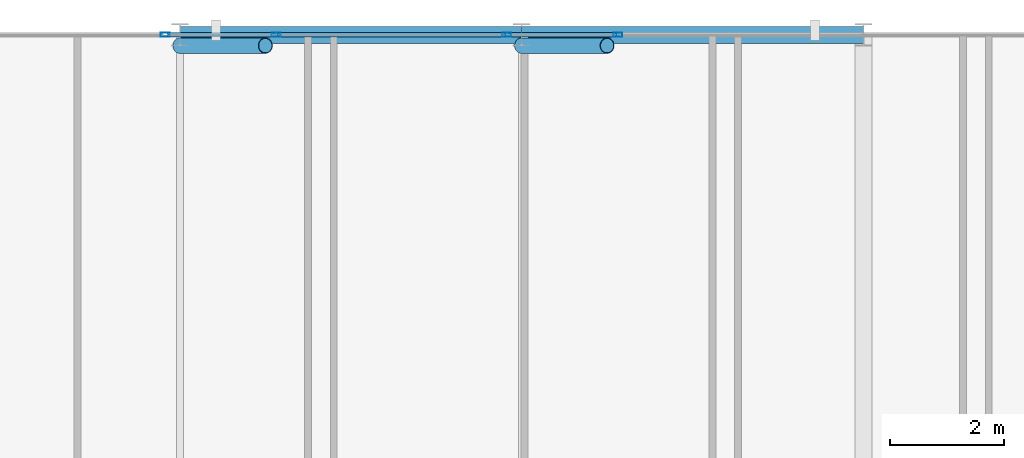
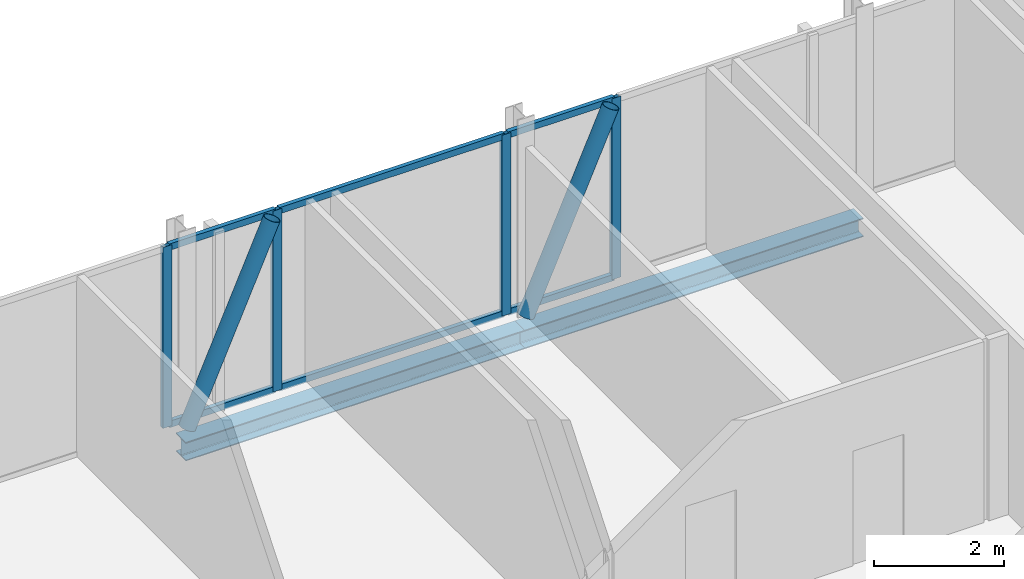
# One storey, part 17 of 27: 12 members, 2 beams, 4 elements without a shape of their own.
"""IFC4 building model written with IfcOpenShell, lengths in metres."""

from ifc_helpers import new_model, si_unit, direction, frame, origin, origin_2d, place, context, subcontext, project, spatial, hollow_rectangle, hollow_circle, i_section, extrude, material, layer, layer_set, material_profile, profile_set, type_object, element, aggregate, save


model = new_model("IFC4")

# Units and contexts
model_context = context("Model", 3, precision=1e-05, world=origin(), true_north=direction((0.0, 1.0)))
body_context = subcontext(model_context, "Body", "Model", "MODEL_VIEW")
ifc_project = project(units=[si_unit("LENGTHUNIT", "METRE"), si_unit("AREAUNIT", "SQUARE_METRE"), si_unit("VOLUMEUNIT", "CUBIC_METRE"), si_unit("PLANEANGLEUNIT", "RADIAN"), si_unit("MASSUNIT", "GRAM", prefix="KILO")], contexts=[model_context])

# Site, building, storey
site_placement = place(None, origin())
site = spatial("IfcSite", under=ifc_project, at=site_placement, CompositionType="ELEMENT")
building_placement = place(site_placement, origin())
building = spatial("IfcBuilding", under=site, at=building_placement, Name="Keshet Zoharim Tower", CompositionType="ELEMENT")
storey_placement = place(building_placement, frame((0.0, 0.0, 288.0)))
storey = spatial("IfcBuildingStorey", under=building, at=storey_placement, Name="L72", CompositionType="ELEMENT", Elevation=288.0)

# Beams
ifc_material_1 = material(Name="Steel S355", Category="steel")
ifc_material_profile_1 = material_profile(ifc_material_1, i_section(OverallWidth=0.300048828125, OverallDepth=0.35009765625, WebThickness=0.010009765625, FlangeThickness=0.017578125, FilletRadius=0.027099609375, at=origin_2d()), Name="HEA360")
ifc_profile_set_1 = profile_set([ifc_material_profile_1], Name="Steel S355")
beam_type = type_object("IfcBeamType", Name="BM-PRI-HA360", PredefinedType="BEAM", material=ifc_profile_set_1)
for number, where, z_axis, x_axis, name in (
    (1, (21.0, 53.89990234375, -0.485107421875), (1.0, 0.0, 0.0), (0.0, 1.0, 0.0), "L72 Primary Girder X-010"),
    (2, (27.0, 53.89990234375, -0.485107421875), (1.0, 0.0, 0.0), (0.0, 1.0, 0.0), "L72 Primary Girder X-011"),
):
    element("IfcBeam", number, at=place(storey_placement, frame(where, z_axis=z_axis, x_axis=x_axis)), inside=storey, type_object=beam_type, Name=name, PredefinedType="BEAM", context=body_context, shape_type="SweptSolid", body=[
        extrude(i_section(OverallWidth=0.300048828125, OverallDepth=0.35009765625, WebThickness=0.010009765625, FlangeThickness=0.017578125, FilletRadius=0.027099609375, at=origin_2d()), origin(), (0.0, 0.0, 1.0), 6.0),
    ])

# Curtain wall, member
ifc_material_2 = material(Name="Aluminium 6063-T6", Category="aluminium")
ifc_layer = layer(ifc_material_2, 0.260009765625)
ifc_layer_set = layer_set([ifc_layer], Name="Aluminium 6063-T6")
curtain_wall_type = type_object("IfcCurtainWallType", Name="CW-SYS-06", PredefinedType="NOTDEFINED", material=ifc_layer_set)
curtain_wall_1_placement = place(storey_placement, origin())
curtain_wall_1 = element("IfcCurtainWall", 3, at=curtain_wall_1_placement, inside=storey, type_object=curtain_wall_type, Name="L72 Unitised Curtain Wall 06", PredefinedType="NOTDEFINED")
ifc_material_profile_2 = material_profile(ifc_material_2, hollow_rectangle(XDim=0.074951171875, YDim=0.159912109375, WallThickness=0.00390625, at=origin_2d()), Name="MUL-75x160")
ifc_profile_set_2 = profile_set([ifc_material_profile_2], Name="Aluminium 6063-T6")
member_type_1 = type_object("IfcMemberType", Name="CWM-M15", PredefinedType="MULLION", material=ifc_profile_set_2)
member_1_placement = place(storey_placement, frame((20.740234375, 53.89990234375, 0.0), z_axis=(0.0, 0.0, 1.0), x_axis=(0.0, 1.0, 0.0)))
member_1 = element("IfcMember", 4, at=member_1_placement, type_object=member_type_1, Name="CW-06 mullion 2", PredefinedType="MULLION", context=body_context, shape_type="SweptSolid", body=[
    extrude(hollow_rectangle(XDim=0.074951171875, YDim=0.159912109375, WallThickness=0.00390625, at=origin_2d()), origin(), (0.0, 0.0, 1.0), 3.389892578125),
])
aggregate(curtain_wall_1, [member_1])

curtain_wall_2_placement = place(storey_placement, origin())
curtain_wall_2 = element("IfcCurtainWall", 5, at=curtain_wall_2_placement, inside=storey, type_object=curtain_wall_type, Name="L72 Unitised Curtain Wall 06 Part 2", PredefinedType="NOTDEFINED")
member_2_placement = place(storey_placement, frame((22.689697265625, 53.89990234375, 0.0), z_axis=(0.0, 0.0, 1.0), x_axis=(0.0, 1.0, 0.0)))
member_2 = element("IfcMember", 6, at=member_2_placement, type_object=member_type_1, Name="CW-06 mullion 2", PredefinedType="MULLION", context=body_context, shape_type="SweptSolid", body=[
    extrude(hollow_rectangle(XDim=0.074951171875, YDim=0.159912109375, WallThickness=0.00390625, at=origin_2d()), origin(), (0.0, 0.0, 1.0), 3.389892578125),
])

curtain_wall_3_placement = place(storey_placement, origin())
curtain_wall_3 = element("IfcCurtainWall", 7, at=curtain_wall_3_placement, inside=storey, type_object=curtain_wall_type, Name="L72 Unitised Curtain Wall 06 Part 3", PredefinedType="NOTDEFINED")
member_3_placement = place(storey_placement, frame((26.740234375, 53.89990234375, 0.0), z_axis=(0.0, 0.0, 1.0), x_axis=(0.0, 1.0, 0.0)))
member_3 = element("IfcMember", 8, at=member_3_placement, type_object=member_type_1, Name="CW-06 mullion 2", PredefinedType="MULLION", context=body_context, shape_type="SweptSolid", body=[
    extrude(hollow_rectangle(XDim=0.074951171875, YDim=0.159912109375, WallThickness=0.00390625, at=origin_2d()), origin(), (0.0, 0.0, 1.0), 3.389892578125),
])

curtain_wall_4_placement = place(storey_placement, origin())
curtain_wall_4 = element("IfcCurtainWall", 9, at=curtain_wall_4_placement, inside=storey, type_object=curtain_wall_type, Name="L72 Unitised Curtain Wall 06 Part 4", PredefinedType="NOTDEFINED")
member_4_placement = place(storey_placement, frame((28.689697265625, 53.89990234375, 0.0), z_axis=(0.0, 0.0, 1.0), x_axis=(0.0, 1.0, 0.0)))
member_4 = element("IfcMember", 10, at=member_4_placement, type_object=member_type_1, Name="CW-06 mullion 2", PredefinedType="MULLION", context=body_context, shape_type="SweptSolid", body=[
    extrude(hollow_rectangle(XDim=0.074951171875, YDim=0.159912109375, WallThickness=0.00390625, at=origin_2d()), origin(), (0.0, 0.0, 1.0), 3.389892578125),
])

# Member
ifc_material_profile_3 = material_profile(ifc_material_2, hollow_rectangle(XDim=0.074951171875, YDim=0.1201171875, WallThickness=0.00390625, at=origin_2d()), Name="TRN-75x120")
ifc_profile_set_3 = profile_set([ifc_material_profile_3], Name="Aluminium 6063-T6")
member_type_2 = type_object("IfcMemberType", Name="CWT-T12", PredefinedType="USERDEFINED", material=ifc_profile_set_3)
member_5_placement = place(storey_placement, frame((20.775146484375, 53.89990234375, 0.034912109375), z_axis=(1.0, 0.0, 0.0), x_axis=(0.0, 1.0, 0.0)))
member_5 = element("IfcMember", 11, at=member_5_placement, type_object=member_type_2, Name="CW-06 transom 1.1", ObjectType="TRANSOM", PredefinedType="USERDEFINED", context=body_context, shape_type="SweptSolid", body=[
    extrude(hollow_rectangle(XDim=0.074951171875, YDim=0.1201171875, WallThickness=0.00390625, at=origin_2d()), origin(), (0.0, 0.0, 1.0), 1.879638671875),
])

member_6_placement = place(storey_placement, frame((20.775146484375, 53.89990234375, 3.35498046875), z_axis=(1.0, 0.0, 0.0), x_axis=(0.0, 1.0, 0.0)))
member_6 = element("IfcMember", 12, at=member_6_placement, type_object=member_type_2, Name="CW-06 transom 1.2", ObjectType="TRANSOM", PredefinedType="USERDEFINED", context=body_context, shape_type="SweptSolid", body=[
    extrude(hollow_rectangle(XDim=0.074951171875, YDim=0.1201171875, WallThickness=0.00390625, at=origin_2d()), origin(), (0.0, 0.0, 1.0), 1.879638671875),
])

aggregate(curtain_wall_2, [member_2, member_5, member_6])

member_7_placement = place(storey_placement, frame((22.724853515625, 53.89990234375, 0.034912109375), z_axis=(1.0, 0.0, 0.0), x_axis=(0.0, 1.0, 0.0)))
member_7 = element("IfcMember", 13, at=member_7_placement, type_object=member_type_2, Name="CW-06 transom 1.1", ObjectType="TRANSOM", PredefinedType="USERDEFINED", context=body_context, shape_type="SweptSolid", body=[
    extrude(hollow_rectangle(XDim=0.074951171875, YDim=0.1201171875, WallThickness=0.00390625, at=origin_2d()), origin(), (0.0, 0.0, 1.0), 3.980224609375),
])

member_8_placement = place(storey_placement, frame((22.724853515625, 53.89990234375, 3.35498046875), z_axis=(1.0, 0.0, 0.0), x_axis=(0.0, 1.0, 0.0)))
member_8 = element("IfcMember", 14, at=member_8_placement, type_object=member_type_2, Name="CW-06 transom 1.2", ObjectType="TRANSOM", PredefinedType="USERDEFINED", context=body_context, shape_type="SweptSolid", body=[
    extrude(hollow_rectangle(XDim=0.074951171875, YDim=0.1201171875, WallThickness=0.00390625, at=origin_2d()), origin(), (0.0, 0.0, 1.0), 3.980224609375),
])

aggregate(curtain_wall_3, [member_3, member_7, member_8])

member_9_placement = place(storey_placement, frame((26.775146484375, 53.89990234375, 0.034912109375), z_axis=(1.0, 0.0, 0.0), x_axis=(0.0, 1.0, 0.0)))
member_9 = element("IfcMember", 15, at=member_9_placement, type_object=member_type_2, Name="CW-06 transom 1.1", ObjectType="TRANSOM", PredefinedType="USERDEFINED", context=body_context, shape_type="SweptSolid", body=[
    extrude(hollow_rectangle(XDim=0.074951171875, YDim=0.1201171875, WallThickness=0.00390625, at=origin_2d()), origin(), (0.0, 0.0, 1.0), 1.879638671875),
])

member_10_placement = place(storey_placement, frame((26.775146484375, 53.89990234375, 3.35498046875), z_axis=(1.0, 0.0, 0.0), x_axis=(0.0, 1.0, 0.0)))
member_10 = element("IfcMember", 16, at=member_10_placement, type_object=member_type_2, Name="CW-06 transom 1.2", ObjectType="TRANSOM", PredefinedType="USERDEFINED", context=body_context, shape_type="SweptSolid", body=[
    extrude(hollow_rectangle(XDim=0.074951171875, YDim=0.1201171875, WallThickness=0.00390625, at=origin_2d()), origin(), (0.0, 0.0, 1.0), 1.879638671875),
])

aggregate(curtain_wall_4, [member_4, member_9, member_10])

# Members
ifc_material_profile_4 = material_profile(ifc_material_1, hollow_circle(Radius=0.136474609375, WallThickness=0.010009765625, at=origin_2d()), Name="CHS273x10")
ifc_profile_set_4 = profile_set([ifc_material_profile_4], Name="Steel S355")
member_type_3 = type_object("IfcMemberType", Name="MB-BR-C273", PredefinedType="BRACE", material=ifc_profile_set_4)
for number, where, z_axis, x_axis, name in (
    (17, (21.0, 53.7099609375, 0.0), (0.40464689807, 0.0, 0.914473011019), (0.0, 1.0, 0.0), "L72 Perimeter Tube Brace 03"),
    (18, (27.0, 53.7099609375, 0.0), (0.40464689807, 0.0, 0.914473011019), (0.0, 1.0, 0.0), "L72 Perimeter Tube Brace 04"),
):
    element("IfcMember", number, at=place(storey_placement, frame(where, z_axis=z_axis, x_axis=x_axis)), inside=storey, type_object=member_type_3, Name=name, PredefinedType="BRACE", context=body_context, shape_type="SweptSolid", body=[
        extrude(hollow_circle(Radius=0.136474609375, WallThickness=0.010009765625, at=origin_2d()), origin(), (0.0, 0.0, 1.0), 3.70703125),
    ])

save(model, "model.ifc")
